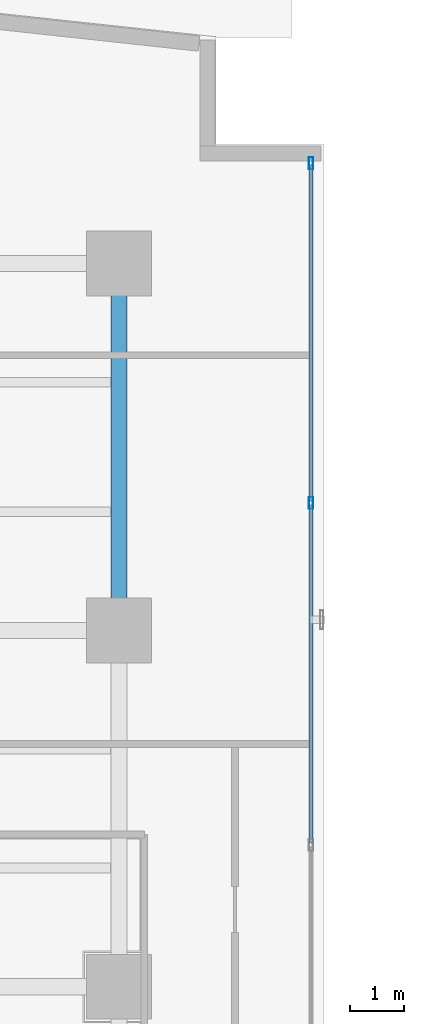
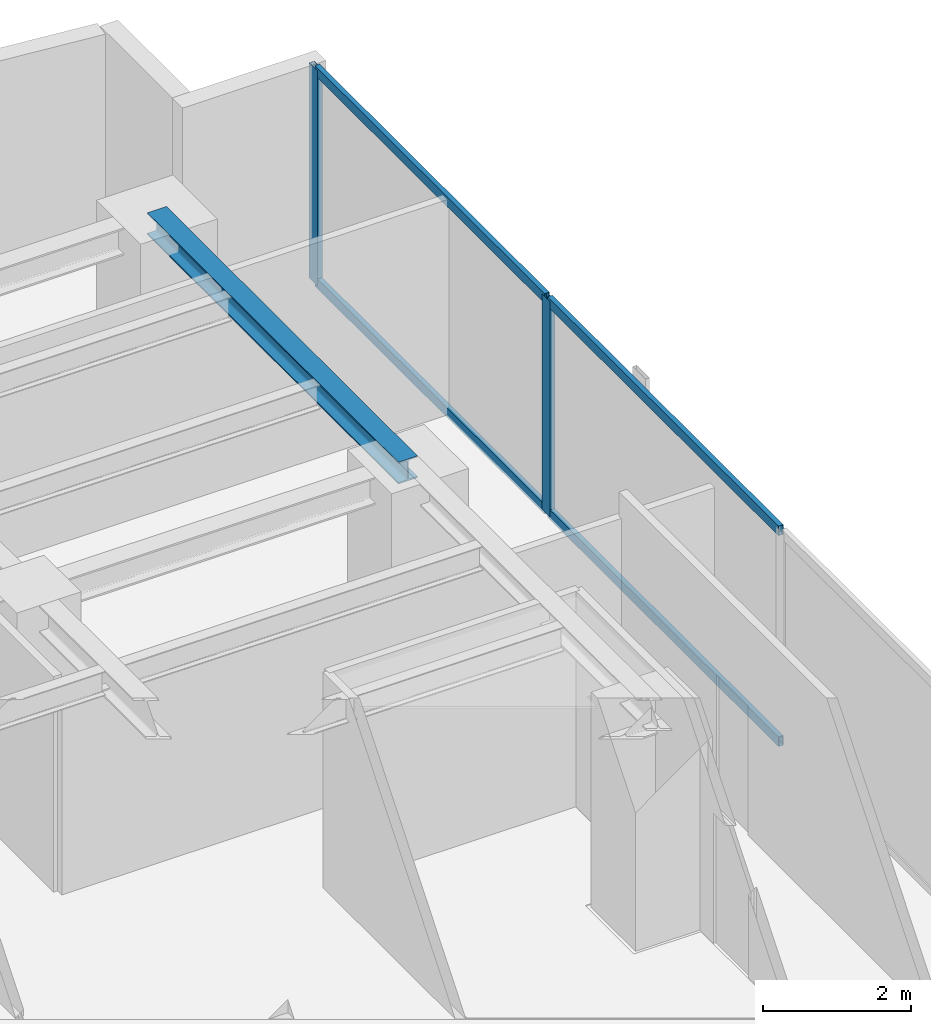
# One storey, part 18 of 28: 6 members, 1 beam, 1 element without a shape of its own.
"""IFC4 building model written with IfcOpenShell, lengths in metres."""

from ifc_helpers import new_model, si_unit, direction, frame, origin, origin_with_axes, origin_2d, place, context, subcontext, project, spatial, hollow_rectangle, i_section, extrude, source, transform, mapped, material, layer, layer_set, material_profile, profile_set, type_object, element, aggregate, save


model = new_model("IFC4")

# Units and contexts
model_context = context("Model", 3, precision=1e-05, world=origin(), true_north=direction((0.0, 1.0)))
body_context = subcontext(model_context, "Body", "Model", "MODEL_VIEW")
ifc_project = project(units=[si_unit("LENGTHUNIT", "METRE"), si_unit("AREAUNIT", "SQUARE_METRE"), si_unit("VOLUMEUNIT", "CUBIC_METRE"), si_unit("PLANEANGLEUNIT", "RADIAN"), si_unit("MASSUNIT", "GRAM", prefix="KILO")], contexts=[model_context])

# Site, building, storey
site_placement = place(None, origin())
site = spatial("IfcSite", under=ifc_project, at=site_placement, CompositionType="ELEMENT")
building_placement = place(site_placement, origin())
building = spatial("IfcBuilding", under=site, at=building_placement, Name="Kolvaren Waterfront Exchange", CompositionType="ELEMENT")
storey_placement = place(building_placement, frame((0.0, 0.0, 146.199951171875)))
storey = spatial("IfcBuildingStorey", under=building, at=storey_placement, Name="L37", CompositionType="ELEMENT", Elevation=146.199951171875)

# Beam
ifc_material_1 = material(Name="Steel S355", Category="steel")
ifc_material_profile_1 = material_profile(ifc_material_1, i_section(OverallWidth=0.300048828125, OverallDepth=0.360107421875, WebThickness=0.012451171875, FlangeThickness=0.0224609375, FilletRadius=0.027099609375, at=origin_2d()), Name="HEB360")
ifc_profile_set_1 = profile_set([ifc_material_profile_1], Name="Steel S355")
beam_type = type_object("IfcBeamType", Name="STR-BM-HEB360", PredefinedType="SPANDREL", material=ifc_profile_set_1)
beam_placement = place(storey_placement, frame((18.800048828125, 37.800048828125, 3.380126953125), z_axis=(0.0, 1.0, 0.0), x_axis=(-1.0, 0.0, 0.0)))
element("IfcBeam", 1, at=beam_placement, inside=storey, type_object=beam_type, Name="L37 north-arm edge beam 3", PredefinedType="SPANDREL", context=body_context, shape_type="SweptSolid", body=[
    extrude(i_section(OverallWidth=0.300048828125, OverallDepth=0.360107421875, WebThickness=0.012451171875, FlangeThickness=0.0224609375, FilletRadius=0.027099609375, at=origin_2d()), origin(), (0.0, 0.0, 1.0), 6.800048828125),
])

# Curtain wall, members
ifc_material_2 = material(Name="Anodised bronze aluminium 6063-T6", Category="aluminium")
ifc_layer = layer(ifc_material_2, 0.219970703125, Name="Anodised bronze aluminium 6063-T6")
ifc_layer_set = layer_set([ifc_layer], Name="Anodised bronze aluminium 6063-T6")
curtain_wall_type = type_object("IfcCurtainWallType", Name="ARC-CW-SYS1", PredefinedType="USERDEFINED", material=ifc_layer_set)
curtain_wall_placement = place(storey_placement, origin())
curtain_wall = element("IfcCurtainWall", 2, at=curtain_wall_placement, inside=storey, type_object=curtain_wall_type, Name="L37 stick curtain wall CW1 (CW-L37-NE)", ObjectType="STICK CURTAIN WALL", PredefinedType="USERDEFINED")
ifc_material_3 = material(Name="Anodised aluminium 6063-T6", Category="aluminium")
ifc_material_profile_2 = material_profile(ifc_material_3, hollow_rectangle(XDim=0.080078125, YDim=0.219970703125, WallThickness=0.0048828125, at=origin_2d()), Name="ALU-MUL-220x80x5")
ifc_profile_set_2 = profile_set([ifc_material_profile_2], Name="Anodised aluminium 6063-T6")
member_type_1 = type_object("IfcMemberType", Name="ARC-CWM-220", PredefinedType="MULLION", material=ifc_profile_set_2)
shared_shape_1 = source(origin_with_axes(), body_context, "Body", "SweptSolid", [
    extrude(hollow_rectangle(XDim=0.080078125, YDim=0.219970703125, WallThickness=0.0048828125, at=origin_2d()), origin(), (0.0, 0.0, 1.0), 3.56005859375),
])
member_1_placement = place(storey_placement, frame((22.360107421875, 40.163330078125, 0.0), z_axis=(0.0, 0.0, 1.0), x_axis=(-1.0, 0.0, 0.0)))
member_1 = element("IfcMember", 3, at=member_1_placement, type_object=member_type_1, Name="CW1 mullion 3", PredefinedType="MULLION", context=body_context, shape_type="MappedRepresentation", body=[
    mapped(shared_shape_1, transform((0.0, 0.0, 0.0), x_axis=(1.0, 0.0, 0.0), y_axis=(0.0, 1.0, 0.0), z_axis=(0.0, 0.0, 1.0), scale=1.0)),
])
member_2_placement = place(storey_placement, frame((22.360107421875, 46.4599609375, 0.0), z_axis=(0.0, 0.0, 1.0), x_axis=(-1.0, 0.0, 0.0)))
member_2 = element("IfcMember", 4, at=member_2_placement, type_object=member_type_1, Name="CW1 mullion 4", PredefinedType="MULLION", context=body_context, shape_type="MappedRepresentation", body=[
    mapped(shared_shape_1, transform((0.0, 0.0, 0.0), x_axis=(1.0, 0.0, 0.0), y_axis=(0.0, 1.0, 0.0), z_axis=(0.0, 0.0, 1.0), scale=1.0)),
])
ifc_material_profile_3 = material_profile(ifc_material_3, hollow_rectangle(XDim=0.074951171875, YDim=0.159912109375, WallThickness=0.00439453125, at=origin_2d()), Name="ALU-TRN-160x75x4.5")
ifc_profile_set_3 = profile_set([ifc_material_profile_3], Name="Anodised aluminium 6063-T6")
member_type_2 = type_object("IfcMemberType", Name="ARC-CWT-160", PredefinedType="USERDEFINED", material=ifc_profile_set_3)
shared_shape_2 = source(origin_with_axes(), body_context, "Body", "SweptSolid", [
    extrude(hollow_rectangle(XDim=0.074951171875, YDim=0.159912109375, WallThickness=0.00439453125, at=origin_2d()), origin(), (0.0, 0.0, 1.0), 6.216552734375),
])
member_3_placement = place(storey_placement, frame((22.360107421875, 40.203369140625, 0.03759765625), z_axis=(0.0, 1.0, 0.0), x_axis=(-1.0, 0.0, 0.0)))
member_3 = element("IfcMember", 5, at=member_3_placement, type_object=member_type_2, Name="CW1 transom 3.1", ObjectType="TRANSOM", PredefinedType="USERDEFINED", context=body_context, shape_type="MappedRepresentation", body=[
    mapped(shared_shape_2, transform((0.0, 0.0, 0.0), x_axis=(1.0, 0.0, 0.0), y_axis=(0.0, 1.0, 0.0), z_axis=(0.0, 0.0, 1.0), scale=1.0)),
])
member_4_placement = place(storey_placement, frame((22.360107421875, 40.203369140625, 3.5224609375), z_axis=(0.0, 1.0, 0.0), x_axis=(-1.0, 0.0, 0.0)))
member_4 = element("IfcMember", 6, at=member_4_placement, type_object=member_type_2, Name="CW1 transom 3.2", ObjectType="TRANSOM", PredefinedType="USERDEFINED", context=body_context, shape_type="MappedRepresentation", body=[
    mapped(shared_shape_2, transform((0.0, 0.0, 0.0), x_axis=(1.0, 0.0, 0.0), y_axis=(0.0, 1.0, 0.0), z_axis=(0.0, 0.0, 1.0), scale=1.0)),
])
shared_shape_3 = source(origin_with_axes(), body_context, "Body", "SweptSolid", [
    extrude(hollow_rectangle(XDim=0.074951171875, YDim=0.159912109375, WallThickness=0.00439453125, at=origin_2d()), origin(), (0.0, 0.0, 1.0), 6.256591796875),
])
member_5_placement = place(storey_placement, frame((22.360107421875, 33.86669921875, 0.03759765625), z_axis=(0.0, 1.0, 0.0), x_axis=(-1.0, 0.0, 0.0)))
member_5 = element("IfcMember", 7, at=member_5_placement, type_object=member_type_2, Name="CW1 transom 2.1", ObjectType="TRANSOM", PredefinedType="USERDEFINED", context=body_context, shape_type="MappedRepresentation", body=[
    mapped(shared_shape_3, transform((0.0, 0.0, 0.0), x_axis=(1.0, 0.0, 0.0), y_axis=(0.0, 1.0, 0.0), z_axis=(0.0, 0.0, 1.0), scale=1.0)),
])
member_6_placement = place(storey_placement, frame((22.360107421875, 33.86669921875, 3.5224609375), z_axis=(0.0, 1.0, 0.0), x_axis=(-1.0, 0.0, 0.0)))
member_6 = element("IfcMember", 8, at=member_6_placement, type_object=member_type_2, Name="CW1 transom 2.2", ObjectType="TRANSOM", PredefinedType="USERDEFINED", context=body_context, shape_type="MappedRepresentation", body=[
    mapped(shared_shape_3, transform((0.0, 0.0, 0.0), x_axis=(1.0, 0.0, 0.0), y_axis=(0.0, 1.0, 0.0), z_axis=(0.0, 0.0, 1.0), scale=1.0)),
])
aggregate(curtain_wall, [member_1, member_2, member_5, member_6, member_3, member_4])

save(model, "model.ifc")
